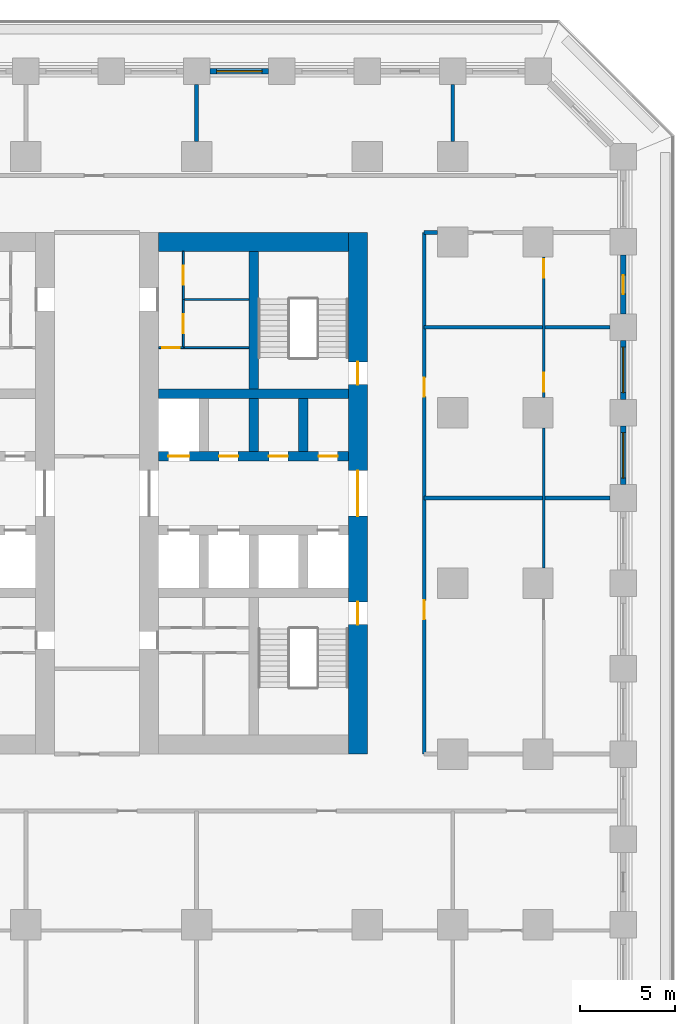
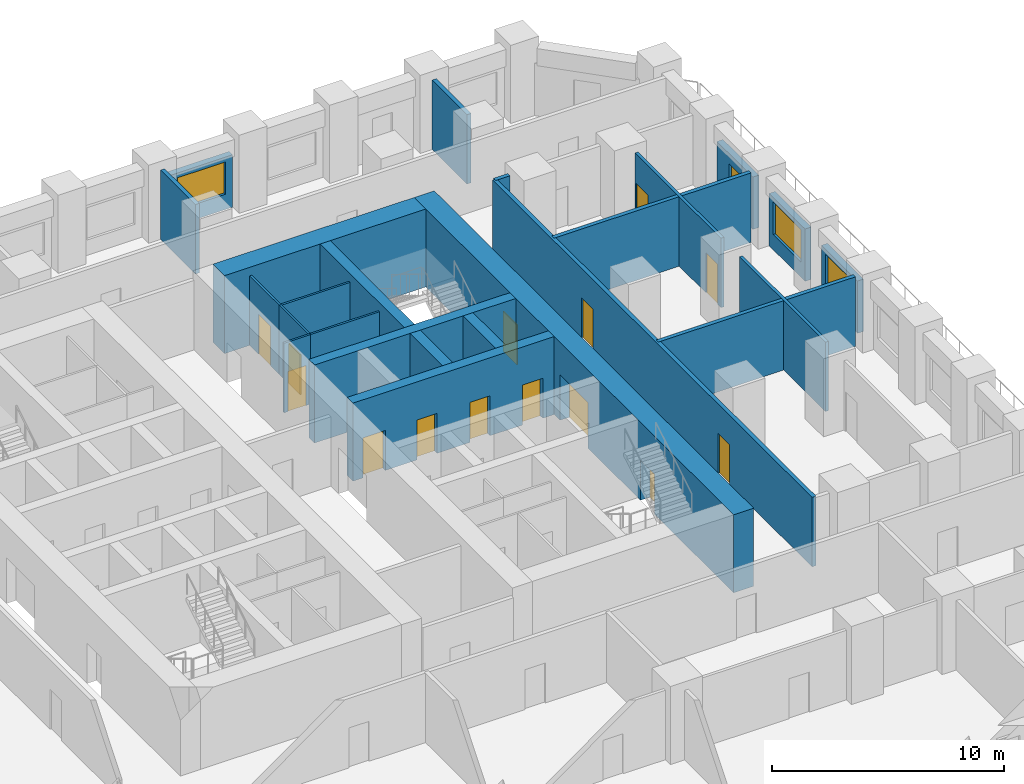
# One storey, part 7 of 11: 24 walls, 15 doors, 3 windows, 18 openings.
"""IFC4 building model written with IfcOpenShell, lengths in metres."""

from ifc_helpers import new_model, si_unit, direction, frame, frame_2d, origin, place, context, subcontext, project, spatial, rectangle, extrude, material, layer, layer_set, type_object, element, fill, save


model = new_model("IFC4")

# Units and contexts
model_context = context("Model", 3, precision=1e-05, world=origin(), true_north=direction((0.0, 1.0)))
body_context = subcontext(model_context, "Body", "Model", "MODEL_VIEW")
ifc_project = project(units=[si_unit("LENGTHUNIT", "METRE"), si_unit("AREAUNIT", "SQUARE_METRE"), si_unit("VOLUMEUNIT", "CUBIC_METRE"), si_unit("PLANEANGLEUNIT", "RADIAN"), si_unit("MASSUNIT", "GRAM", prefix="KILO")], contexts=[model_context])

# Site, building, storey
site_placement = place(None, origin())
site = spatial("IfcSite", under=ifc_project, at=site_placement, CompositionType="ELEMENT")
building_placement = place(site_placement, origin())
building = spatial("IfcBuilding", under=site, at=building_placement, Name="Corbel Stack Research Tower", CompositionType="ELEMENT")
storey_placement = place(building_placement, frame((0.0, 0.0, 62.39990234375)))
storey = spatial("IfcBuildingStorey", under=building, at=storey_placement, Name="L14", CompositionType="ELEMENT", Elevation=62.39990234375)

# Wall, openings, doors
ifc_material_1 = material(Name="Concrete C70/85", Category="concrete")
ifc_layer_1 = layer(ifc_material_1, 1.0)
ifc_layer_set_1 = layer_set([ifc_layer_1], Name="Concrete C70/85")
wall_type_1 = type_object("IfcWallType", Name="CW-1000-70", PredefinedType="SHEAR", material=ifc_layer_set_1)
wall_1_placement = place(storey_placement, frame((17.5, -9.0, 0.0), z_axis=(0.0, 0.0, 1.0), x_axis=(0.0, 1.0, 0.0)))
wall_1 = element("IfcWall", 1, at=wall_1_placement, inside=storey, type_object=wall_type_1, Name="East core wall, east face L14", PredefinedType="SHEAR", context=body_context, shape_type="SweptSolid", body=[
    extrude(rectangle(XDim=27.5, YDim=1.0, at=frame_2d((13.75, 0.0))), origin(), (0.0, 0.0, 1.0), 4.10009765625),
])
opening_1_placement = place(wall_1_placement, frame((12.550048828125, 0.0, 0.0)))
opening_1 = element("IfcOpeningElement", 2, at=opening_1_placement, cuts=wall_1, Name="Opening CD-E-E", PredefinedType="OPENING", context=body_context, shape_type="SweptSolid", body=[
    extrude(rectangle(XDim=2.39990234375, YDim=2.39990234375, at=frame_2d((1.199951171875, 1.199951171875))), frame((0.0, 0.510009765625, 0.0), z_axis=(0.0, -1.0, 0.0), x_axis=(1.0, 0.0, 0.0)), (0.0, 0.0, 1.0), 1.02001953125),
])
opening_2_placement = place(wall_1_placement, frame((6.824951171875, 0.0, 0.0)))
opening_2 = element("IfcOpeningElement", 3, at=opening_2_placement, cuts=wall_1, Name="Opening SD-ST-E1", PredefinedType="OPENING", context=body_context, shape_type="SweptSolid", body=[
    extrude(rectangle(XDim=1.199951171875, YDim=2.10009765625, at=frame_2d((0.60009765625, 1.050048828125))), frame((0.0, 0.510009765625, 0.0), z_axis=(0.0, -1.0, 0.0), x_axis=(1.0, 0.0, 0.0)), (0.0, 0.0, 1.0), 1.02001953125),
])
opening_3_placement = place(wall_1_placement, frame((19.47509765625, 0.0, 0.0)))
opening_3 = element("IfcOpeningElement", 4, at=opening_3_placement, cuts=wall_1, Name="Opening SD-ST-E2", PredefinedType="OPENING", context=body_context, shape_type="SweptSolid", body=[
    extrude(rectangle(XDim=1.199951171875, YDim=2.10009765625, at=frame_2d((0.60009765625, 1.050048828125))), frame((0.0, 0.510009765625, 0.0), z_axis=(0.0, -1.0, 0.0), x_axis=(1.0, 0.0, 0.0)), (0.0, 0.0, 1.0), 1.02001953125),
])
ifc_material_2 = material(Name="Painted steel fire door", Category="steel")
door_type_1 = type_object("IfcDoorType", Name="Lobby door pair 2400 x 2400 FD30S", OperationType="DOUBLE_DOOR_DOUBLE_SWING", PredefinedType="DOOR", material=ifc_material_2)
door_1_placement = place(opening_1_placement, origin())
door_1 = element("IfcDoor", 5, at=door_1_placement, inside=storey, type_object=door_type_1, Name="Lift lobby door E core E", OperationType="DOUBLE_DOOR_DOUBLE_SWING", OverallHeight=2.39990234375, OverallWidth=2.39990234375, PredefinedType="DOOR", context=body_context, shape_type="SweptSolid", body=[
    extrude(rectangle(XDim=2.39990234375, YDim=2.39990234375, at=frame_2d((1.199951171875, 1.199951171875))), frame((0.0, 0.02490234375, 0.0), z_axis=(0.0, -1.0, 0.0), x_axis=(1.0, 0.0, 0.0)), (0.0, 0.0, 1.0), 0.050048828125),
])
fill(opening_1, door_1)
ifc_material_3 = material(Name="Painted steel fire door", Category="steel")
door_type_2 = type_object("IfcDoorType", Name="Stair door 1200 x 2100 FD90 right hand", OperationType="SINGLE_SWING_RIGHT", PredefinedType="DOOR", material=ifc_material_3)
door_2_placement = place(opening_2_placement, frame((1.199951171875, 0.0, 0.0), z_axis=(0.0, 0.0, 1.0), x_axis=(-1.0, 0.0, 0.0)))
door_2 = element("IfcDoor", 6, at=door_2_placement, inside=storey, type_object=door_type_2, Name="Stair door ST-E1", OperationType="SINGLE_SWING_LEFT", OverallHeight=2.10009765625, OverallWidth=1.199951171875, PredefinedType="DOOR", context=body_context, shape_type="SweptSolid", body=[
    extrude(rectangle(XDim=1.199951171875, YDim=2.10009765625, at=frame_2d((0.60009765625, 1.050048828125))), frame((0.0, 0.02490234375, 0.0), z_axis=(0.0, -1.0, 0.0), x_axis=(1.0, 0.0, 0.0)), (0.0, 0.0, 1.0), 0.050048828125),
])
fill(opening_2, door_2)
door_3_placement = place(opening_3_placement, frame((1.199951171875, 0.0, 0.0), z_axis=(0.0, 0.0, 1.0), x_axis=(-1.0, 0.0, 0.0)))
door_3 = element("IfcDoor", 7, at=door_3_placement, inside=storey, type_object=door_type_2, Name="Stair door ST-E2", OperationType="SINGLE_SWING_LEFT", OverallHeight=2.10009765625, OverallWidth=1.199951171875, PredefinedType="DOOR", context=body_context, shape_type="SweptSolid", body=[
    extrude(rectangle(XDim=1.199951171875, YDim=2.10009765625, at=frame_2d((0.60009765625, 1.050048828125))), frame((0.0, 0.02490234375, 0.0), z_axis=(0.0, -1.0, 0.0), x_axis=(1.0, 0.0, 0.0)), (0.0, 0.0, 1.0), 0.050048828125),
])
fill(opening_3, door_3)

# Wall
wall_2_placement = place(storey_placement, frame((7.0, 18.0, 0.0), z_axis=(0.0, 0.0, 1.0), x_axis=(1.0, 0.0, 0.0)))
element("IfcWall", 8, at=wall_2_placement, inside=storey, type_object=wall_type_1, Name="East core wall, north end L14", PredefinedType="SHEAR", context=body_context, shape_type="SweptSolid", body=[
    extrude(rectangle(XDim=10.0, YDim=1.0, at=frame_2d((5.0, 0.0))), origin(), (0.0, 0.0, 1.0), 4.10009765625),
])

# Wall, openings, doors
ifc_material_4 = material(Name="Concrete C70/85", Category="concrete")
ifc_layer_2 = layer(ifc_material_4, 0.5)
ifc_layer_set_2 = layer_set([ifc_layer_2], Name="Concrete C70/85")
wall_type_2 = type_object("IfcWallType", Name="CW-500-70", PredefinedType="SHEAR", material=ifc_layer_set_2)
wall_3_placement = place(storey_placement, frame((7.0, 6.699951171875, 0.0), z_axis=(0.0, 0.0, 1.0), x_axis=(1.0, 0.0, 0.0)))
wall_3 = element("IfcWall", 9, at=wall_3_placement, inside=storey, type_object=wall_type_2, Name="East core wall, lobby north L14", PredefinedType="SHEAR", context=body_context, shape_type="SweptSolid", body=[
    extrude(rectangle(XDim=10.0, YDim=0.5, at=frame_2d((5.0, 0.0))), origin(), (0.0, 0.0, 1.0), 4.10009765625),
])
opening_4_placement = place(wall_3_placement, frame((0.512451171875, 0.0, 0.0)))
opening_4 = element("IfcOpeningElement", 10, at=opening_4_placement, cuts=wall_3, Name="Opening LD-LR4", PredefinedType="OPENING", context=body_context, shape_type="SweptSolid", body=[
    extrude(rectangle(XDim=1.10009765625, YDim=2.10009765625, at=frame_2d((0.550048828125, 1.050048828125))), frame((0.0, 0.260009765625, 0.0), z_axis=(0.0, -1.0, 0.0), x_axis=(1.0, 0.0, 0.0)), (0.0, 0.0, 1.0), 0.52001953125),
])
opening_5_placement = place(wall_3_placement, frame((3.1875, 0.0, 0.0)))
opening_5 = element("IfcOpeningElement", 11, at=opening_5_placement, cuts=wall_3, Name="Opening CR-E54-N2", PredefinedType="OPENING", context=body_context, shape_type="SweptSolid", body=[
    extrude(rectangle(XDim=1.0, YDim=2.10009765625, at=frame_2d((0.5, 1.050048828125))), frame((0.0, 0.260009765625, 0.0), z_axis=(0.0, -1.0, 0.0), x_axis=(1.0, 0.0, 0.0)), (0.0, 0.0, 1.0), 0.52001953125),
])
opening_6_placement = place(wall_3_placement, frame((5.8125, 0.0, 0.0)))
opening_6 = element("IfcOpeningElement", 12, at=opening_6_placement, cuts=wall_3, Name="Opening CR-E54-N3", PredefinedType="OPENING", context=body_context, shape_type="SweptSolid", body=[
    extrude(rectangle(XDim=1.0, YDim=2.10009765625, at=frame_2d((0.5, 1.050048828125))), frame((0.0, 0.260009765625, 0.0), z_axis=(0.0, -1.0, 0.0), x_axis=(1.0, 0.0, 0.0)), (0.0, 0.0, 1.0), 0.52001953125),
])
opening_7_placement = place(wall_3_placement, frame((8.4375, 0.0, 0.0)))
opening_7 = element("IfcOpeningElement", 13, at=opening_7_placement, cuts=wall_3, Name="Opening CR-E54-N4", PredefinedType="OPENING", context=body_context, shape_type="SweptSolid", body=[
    extrude(rectangle(XDim=1.0, YDim=2.10009765625, at=frame_2d((0.5, 1.050048828125))), frame((0.0, 0.260009765625, 0.0), z_axis=(0.0, -1.0, 0.0), x_axis=(1.0, 0.0, 0.0)), (0.0, 0.0, 1.0), 0.52001953125),
])
ifc_material_5 = material(Name="Stainless steel landing door", Category="steel")
door_type_3 = type_object("IfcDoorType", Name="Lift landing door 1100 x 2100", OperationType="DOUBLE_DOOR_SLIDING", PredefinedType="DOOR", material=ifc_material_5)
door_4_placement = place(opening_4_placement, origin())
door_4 = element("IfcDoor", 14, at=door_4_placement, inside=storey, type_object=door_type_3, Name="Landing door LR4", OperationType="DOUBLE_DOOR_SLIDING", OverallHeight=2.10009765625, OverallWidth=1.10009765625, PredefinedType="DOOR", context=body_context, shape_type="SweptSolid", body=[
    extrude(rectangle(XDim=1.10009765625, YDim=2.10009765625, at=frame_2d((0.550048828125, 1.050048828125))), frame((0.0, 0.02490234375, 0.0), z_axis=(0.0, -1.0, 0.0), x_axis=(1.0, 0.0, 0.0)), (0.0, 0.0, 1.0), 0.050048828125),
])
fill(opening_4, door_4)
ifc_material_6 = material(Name="Painted steel door", Category="steel")
door_type_4 = type_object("IfcDoorType", Name="Service door 1000 x 2100 FD60 left hand", OperationType="SINGLE_SWING_LEFT", PredefinedType="DOOR", material=ifc_material_6)
door_5_placement = place(opening_6_placement, origin())
door_5 = element("IfcDoor", 15, at=door_5_placement, inside=storey, type_object=door_type_4, Name="Staff WC door E core", OperationType="SINGLE_SWING_LEFT", OverallHeight=2.10009765625, OverallWidth=1.0, PredefinedType="DOOR", context=body_context, shape_type="SweptSolid", body=[
    extrude(rectangle(XDim=1.0, YDim=2.10009765625, at=frame_2d((0.5, 1.050048828125))), frame((0.0, 0.02490234375, 0.0), z_axis=(0.0, -1.0, 0.0), x_axis=(1.0, 0.0, 0.0)), (0.0, 0.0, 1.0), 0.050048828125),
])
fill(opening_6, door_5)
ifc_material_7 = material(Name="Painted steel door", Category="steel")
door_type_5 = type_object("IfcDoorType", Name="Service door 1000 x 2100 FD60 right hand", OperationType="SINGLE_SWING_RIGHT", PredefinedType="DOOR", material=ifc_material_7)
door_6_placement = place(opening_5_placement, origin())
door_6 = element("IfcDoor", 16, at=door_6_placement, inside=storey, type_object=door_type_5, Name="Pantry door E core", OperationType="SINGLE_SWING_RIGHT", OverallHeight=2.10009765625, OverallWidth=1.0, PredefinedType="DOOR", context=body_context, shape_type="SweptSolid", body=[
    extrude(rectangle(XDim=1.0, YDim=2.10009765625, at=frame_2d((0.5, 1.050048828125))), frame((0.0, 0.02490234375, 0.0), z_axis=(0.0, -1.0, 0.0), x_axis=(1.0, 0.0, 0.0)), (0.0, 0.0, 1.0), 0.050048828125),
])
fill(opening_5, door_6)
door_7_placement = place(opening_7_placement, origin())
door_7 = element("IfcDoor", 17, at=door_7_placement, inside=storey, type_object=door_type_5, Name="Laboratory consumables store door E core", OperationType="SINGLE_SWING_RIGHT", OverallHeight=2.10009765625, OverallWidth=1.0, PredefinedType="DOOR", context=body_context, shape_type="SweptSolid", body=[
    extrude(rectangle(XDim=1.0, YDim=2.10009765625, at=frame_2d((0.5, 1.050048828125))), frame((0.0, 0.02490234375, 0.0), z_axis=(0.0, -1.0, 0.0), x_axis=(1.0, 0.0, 0.0)), (0.0, 0.0, 1.0), 0.050048828125),
])
fill(opening_7, door_7)

# Walls
wall_4_placement = place(storey_placement, frame((7.0, 10.0, 0.0), z_axis=(0.0, 0.0, 1.0), x_axis=(1.0, 0.0, 0.0)))
element("IfcWall", 18, at=wall_4_placement, inside=storey, type_object=wall_type_2, Name="East core wall, north row back L14", PredefinedType="SHEAR", context=body_context, shape_type="SweptSolid", body=[
    extrude(rectangle(XDim=10.0, YDim=0.5, at=frame_2d((5.0, 0.0))), origin(), (0.0, 0.0, 1.0), 4.10009765625),
])
for number, where, z_axis, x_axis, name in (
    (19, (12.0, 6.949951171875, 0.0), (0.0, 0.0, 1.0), (0.0, 1.0, 0.0), "East core wall, north shaft 2 L14"),
    (20, (14.625, 6.949951171875, 0.0), (0.0, 0.0, 1.0), (0.0, 1.0, 0.0), "East core wall, north shaft 3 L14"),
):
    element("IfcWall", number, at=place(storey_placement, frame(where, z_axis=z_axis, x_axis=x_axis)), inside=storey, type_object=wall_type_2, Name=name, PredefinedType="SHEAR", context=body_context, shape_type="SweptSolid", body=[
        extrude(rectangle(XDim=2.800048828125, YDim=0.5, at=frame_2d((1.39990234375, 0.0))), origin(), (0.0, 0.0, 1.0), 4.10009765625),
    ])
wall_5_placement = place(storey_placement, frame((12.0, 10.25, 0.0), z_axis=(0.0, 0.0, 1.0), x_axis=(0.0, 1.0, 0.0)))
element("IfcWall", 21, at=wall_5_placement, inside=storey, type_object=wall_type_2, Name="East core wall, north stair and riser L14", PredefinedType="SHEAR", context=body_context, shape_type="SweptSolid", body=[
    extrude(rectangle(XDim=7.25, YDim=0.5, at=frame_2d((3.625, 0.0))), origin(), (0.0, 0.0, 1.0), 4.10009765625),
])

# Wall, opening, door
ifc_material_8 = material(Name="Gypsum board")
ifc_layer_3 = layer(ifc_material_8, 0.10009765625)
ifc_layer_set_3 = layer_set([ifc_layer_3], Name="Gypsum board")
wall_type_3 = type_object("IfcWallType", Name="Core partition 100", PredefinedType="PARTITIONING", material=ifc_layer_set_3)
wall_6_placement = place(storey_placement, frame((7.0, 12.425048828125, 0.0), z_axis=(0.0, 0.0, 1.0), x_axis=(1.0, 0.0, 0.0)))
wall_6 = element("IfcWall", 22, at=wall_6_placement, inside=storey, type_object=wall_type_3, Name="Core partition E", PredefinedType="PARTITIONING", context=body_context, shape_type="SweptSolid", body=[
    extrude(rectangle(XDim=1.300048828125, YDim=0.10009765625, at=frame_2d((0.64990234375, 0.0))), origin(), (0.0, 0.0, 1.0), 3.650146484375),
])
opening_8_placement = place(wall_6_placement, frame((0.199951171875, 0.0, 0.0)))
opening_8 = element("IfcOpeningElement", 23, at=opening_8_placement, cuts=wall_6, Name="Opening CR-E54-R1-900", PredefinedType="OPENING", context=body_context, shape_type="SweptSolid", body=[
    extrude(rectangle(XDim=0.89990234375, YDim=2.10009765625, at=frame_2d((0.449951171875, 1.050048828125))), frame((0.0, 0.06005859375, 0.0), z_axis=(0.0, -1.0, 0.0), x_axis=(1.0, 0.0, 0.0)), (0.0, 0.0, 1.0), 0.1201171875),
])
ifc_material_9 = material(Name="Painted steel door", Category="steel")
door_type_6 = type_object("IfcDoorType", Name="Riser door 900 x 2100 FD60 right hand", OperationType="SINGLE_SWING_RIGHT", PredefinedType="DOOR", material=ifc_material_9)
door_8_placement = place(opening_8_placement, origin())
door_8 = element("IfcDoor", 24, at=door_8_placement, inside=storey, type_object=door_type_6, Name="Electrical riser door E core", OperationType="SINGLE_SWING_RIGHT", OverallHeight=2.10009765625, OverallWidth=0.89990234375, PredefinedType="DOOR", context=body_context, shape_type="SweptSolid", body=[
    extrude(rectangle(XDim=0.89990234375, YDim=2.10009765625, at=frame_2d((0.449951171875, 1.050048828125))), frame((0.0, 0.02490234375, 0.0), z_axis=(0.0, -1.0, 0.0), x_axis=(1.0, 0.0, 0.0)), (0.0, 0.0, 1.0), 0.050048828125),
])
fill(opening_8, door_8)

# Wall
wall_7_placement = place(storey_placement, frame((8.300048828125, 12.425048828125, 0.0), z_axis=(0.0, 0.0, 1.0), x_axis=(1.0, 0.0, 0.0)))
element("IfcWall", 25, at=wall_7_placement, inside=storey, type_object=wall_type_3, Name="Core partition E", PredefinedType="PARTITIONING", context=body_context, shape_type="SweptSolid", body=[
    extrude(rectangle(XDim=3.449951171875, YDim=0.10009765625, at=frame_2d((1.72509765625, 0.0))), origin(), (0.0, 0.0, 1.0), 3.650146484375),
])

# Wall, opening, door
wall_8_placement = place(storey_placement, frame((8.300048828125, 12.425048828125, 0.0), z_axis=(0.0, 0.0, 1.0), x_axis=(0.0, 1.0, 0.0)))
wall_8 = element("IfcWall", 26, at=wall_8_placement, inside=storey, type_object=wall_type_3, Name="Core partition E", PredefinedType="PARTITIONING", context=body_context, shape_type="SweptSolid", body=[
    extrude(rectangle(XDim=2.537353515625, YDim=0.10009765625, at=frame_2d((1.2685546875, 0.0))), origin(), (0.0, 0.0, 1.0), 3.650146484375),
])
opening_9_placement = place(wall_8_placement, frame((0.768798828125, 0.0, 0.0)))
opening_9 = element("IfcOpeningElement", 27, at=opening_9_placement, cuts=wall_8, Name="Opening CR-E54-R3-1000", PredefinedType="OPENING", context=body_context, shape_type="SweptSolid", body=[
    extrude(rectangle(XDim=1.0, YDim=2.10009765625, at=frame_2d((0.5, 1.050048828125))), frame((0.0, 0.06005859375, 0.0), z_axis=(0.0, -1.0, 0.0), x_axis=(1.0, 0.0, 0.0)), (0.0, 0.0, 1.0), 0.1201171875),
])
ifc_material_10 = material(Name="Painted steel door", Category="steel")
door_type_7 = type_object("IfcDoorType", Name="Service door 1000 x 2100 FD30 right hand", OperationType="SINGLE_SWING_RIGHT", PredefinedType="DOOR", material=ifc_material_10)
door_9_placement = place(opening_9_placement, origin())
door_9 = element("IfcDoor", 28, at=door_9_placement, inside=storey, type_object=door_type_7, Name="Pantry door E core", OperationType="SINGLE_SWING_RIGHT", OverallHeight=2.10009765625, OverallWidth=1.0, PredefinedType="DOOR", context=body_context, shape_type="SweptSolid", body=[
    extrude(rectangle(XDim=1.0, YDim=2.10009765625, at=frame_2d((0.5, 1.050048828125))), frame((0.0, 0.02490234375, 0.0), z_axis=(0.0, -1.0, 0.0), x_axis=(1.0, 0.0, 0.0)), (0.0, 0.0, 1.0), 0.050048828125),
])
fill(opening_9, door_9)

wall_9_placement = place(storey_placement, frame((8.300048828125, 14.96240234375, 0.0), z_axis=(0.0, 0.0, 1.0), x_axis=(0.0, 1.0, 0.0)))
wall_9 = element("IfcWall", 29, at=wall_9_placement, inside=storey, type_object=wall_type_3, Name="Core partition E", PredefinedType="PARTITIONING", context=body_context, shape_type="SweptSolid", body=[
    extrude(rectangle(XDim=2.53759765625, YDim=0.10009765625, at=frame_2d((1.268798828125, 0.0))), origin(), (0.0, 0.0, 1.0), 3.650146484375),
])
opening_10_placement = place(wall_9_placement, frame((0.768798828125, 0.0, 0.0)))
opening_10 = element("IfcOpeningElement", 30, at=opening_10_placement, cuts=wall_9, Name="Opening CR-E54-R4-1000", PredefinedType="OPENING", context=body_context, shape_type="SweptSolid", body=[
    extrude(rectangle(XDim=1.0, YDim=2.10009765625, at=frame_2d((0.5, 1.050048828125))), frame((0.0, 0.06005859375, 0.0), z_axis=(0.0, -1.0, 0.0), x_axis=(1.0, 0.0, 0.0)), (0.0, 0.0, 1.0), 0.1201171875),
])
ifc_material_11 = material(Name="Painted steel door", Category="steel")
door_type_8 = type_object("IfcDoorType", Name="Service door 1000 x 2100 FD30 left hand", OperationType="SINGLE_SWING_LEFT", PredefinedType="DOOR", material=ifc_material_11)
door_10_placement = place(opening_10_placement, origin())
door_10 = element("IfcDoor", 31, at=door_10_placement, inside=storey, type_object=door_type_8, Name="Copy and supply store door E core", OperationType="SINGLE_SWING_LEFT", OverallHeight=2.10009765625, OverallWidth=1.0, PredefinedType="DOOR", context=body_context, shape_type="SweptSolid", body=[
    extrude(rectangle(XDim=1.0, YDim=2.10009765625, at=frame_2d((0.5, 1.050048828125))), frame((0.0, 0.02490234375, 0.0), z_axis=(0.0, -1.0, 0.0), x_axis=(1.0, 0.0, 0.0)), (0.0, 0.0, 1.0), 0.050048828125),
])
fill(opening_10, door_10)

# Walls
wall_10_placement = place(storey_placement, frame((8.300048828125, 14.96240234375, 0.0), z_axis=(0.0, 0.0, 1.0), x_axis=(1.0, 0.0, 0.0)))
element("IfcWall", 32, at=wall_10_placement, inside=storey, type_object=wall_type_3, Name="Core partition E", PredefinedType="PARTITIONING", context=body_context, shape_type="SweptSolid", body=[
    extrude(rectangle(XDim=3.449951171875, YDim=0.10009765625, at=frame_2d((1.72509765625, 0.0))), origin(), (0.0, 0.0, 1.0), 3.650146484375),
])
ifc_material_12 = material(Name="Fire-rated gypsum board partition on steel studs", Category="steel")
ifc_layer_4 = layer(ifc_material_12, 0.199951171875)
ifc_layer_set_4 = layer_set([ifc_layer_4], Name="Fire-rated gypsum board partition on steel studs")
wall_type_4 = type_object("IfcWallType", Name="Fire-rated partition 200 EI 60", PredefinedType="PARTITIONING", material=ifc_layer_set_4)
wall_11_placement = place(storey_placement, frame((9.0, 23.300048828125, 0.0), z_axis=(0.0, 0.0, 1.0), x_axis=(0.0, 1.0, 0.0)))
element("IfcWall", 33, at=wall_11_placement, inside=storey, type_object=wall_type_4, Name="Partition L14-010", PredefinedType="PARTITIONING", context=body_context, shape_type="SweptSolid", body=[
    extrude(rectangle(XDim=3.0, YDim=0.199951171875, at=frame_2d((1.5, 0.0))), origin(), (0.0, 0.0, 1.0), 3.650146484375),
])

# Wall, openings, doors
wall_12_placement = place(storey_placement, frame((21.0, 18.5, 0.0), z_axis=(0.0, 0.0, 1.0), x_axis=(0.0, -1.0, 0.0)))
wall_12 = element("IfcWall", 34, at=wall_12_placement, inside=storey, type_object=wall_type_4, Name="Partition L14-011", PredefinedType="PARTITIONING", context=body_context, shape_type="SweptSolid", body=[
    extrude(rectangle(XDim=27.5, YDim=0.199951171875, at=frame_2d((13.75, 0.0))), origin(), (0.0, 0.0, 1.0), 3.650146484375),
])
opening_11_placement = place(wall_12_placement, frame((19.39990234375, 0.0, 0.0)))
opening_11 = element("IfcOpeningElement", 35, at=opening_11_placement, cuts=wall_12, Name="Opening B2V2-017", PredefinedType="OPENING", context=body_context, shape_type="SweptSolid", body=[
    extrude(rectangle(XDim=1.0, YDim=2.10009765625, at=frame_2d((0.5, 1.050048828125))), frame((0.0, 0.10986328125, 0.0), z_axis=(0.0, -1.0, 0.0), x_axis=(1.0, 0.0, 0.0)), (0.0, 0.0, 1.0), 0.219970703125),
])
opening_12_placement = place(wall_12_placement, frame((7.64990234375, 0.0, 0.0)))
opening_12 = element("IfcOpeningElement", 36, at=opening_12_placement, cuts=wall_12, Name="Opening B2V2-018", PredefinedType="OPENING", context=body_context, shape_type="SweptSolid", body=[
    extrude(rectangle(XDim=1.0, YDim=2.10009765625, at=frame_2d((0.5, 1.050048828125))), frame((0.0, 0.10986328125, 0.0), z_axis=(0.0, -1.0, 0.0), x_axis=(1.0, 0.0, 0.0)), (0.0, 0.0, 1.0), 0.219970703125),
])
ifc_material_13 = material(Name="Painted steel fire door", Category="steel")
door_type_9 = type_object("IfcDoorType", Name="Fire door FD30S 1000 x 2100", OperationType="NOTDEFINED", PredefinedType="DOOR", material=ifc_material_13)
door_11_placement = place(opening_11_placement, origin())
door_11 = element("IfcDoor", 37, at=door_11_placement, inside=storey, type_object=door_type_9, Name="Door B2V2-017", OperationType="SINGLE_SWING_RIGHT", OverallHeight=2.10009765625, OverallWidth=1.0, PredefinedType="DOOR", context=body_context, shape_type="SweptSolid", body=[
    extrude(rectangle(XDim=1.0, YDim=2.10009765625, at=frame_2d((0.5, 1.050048828125))), frame((0.0, 0.02490234375, 0.0), z_axis=(0.0, -1.0, 0.0), x_axis=(1.0, 0.0, 0.0)), (0.0, 0.0, 1.0), 0.050048828125),
])
fill(opening_11, door_11)
door_12_placement = place(opening_12_placement, origin())
door_12 = element("IfcDoor", 38, at=door_12_placement, inside=storey, type_object=door_type_9, Name="Door B2V2-018", OperationType="SINGLE_SWING_LEFT", OverallHeight=2.10009765625, OverallWidth=1.0, PredefinedType="DOOR", context=body_context, shape_type="SweptSolid", body=[
    extrude(rectangle(XDim=1.0, YDim=2.10009765625, at=frame_2d((0.5, 1.050048828125))), frame((0.0, 0.02490234375, 0.0), z_axis=(0.0, -1.0, 0.0), x_axis=(1.0, 0.0, 0.0)), (0.0, 0.0, 1.0), 0.050048828125),
])
fill(opening_12, door_12)

# Walls
wall_13_placement = place(storey_placement, frame((22.5, 23.300048828125, 0.0), z_axis=(0.0, 0.0, 1.0), x_axis=(0.0, 1.0, 0.0)))
element("IfcWall", 39, at=wall_13_placement, inside=storey, type_object=wall_type_4, Name="Partition L14-014", PredefinedType="PARTITIONING", context=body_context, shape_type="SweptSolid", body=[
    extrude(rectangle(XDim=3.0, YDim=0.199951171875, at=frame_2d((1.5, 0.0))), origin(), (0.0, 0.0, 1.0), 3.650146484375),
])
for number, where, z_axis, x_axis, name in (
    (40, (21.0, 4.5, 0.0), (0.0, 0.0, 1.0), (1.0, 0.0, 0.0), "Partition L14-035"),
    (41, (21.0, 13.5, 0.0), (0.0, 0.0, 1.0), (1.0, 0.0, 0.0), "Partition L14-038"),
):
    element("IfcWall", number, at=place(storey_placement, frame(where, z_axis=z_axis, x_axis=x_axis)), inside=storey, type_object=wall_type_4, Name=name, PredefinedType="PARTITIONING", context=body_context, shape_type="SweptSolid", body=[
        extrude(rectangle(XDim=9.800048828125, YDim=0.199951171875, at=frame_2d((4.89990234375, 0.0))), origin(), (0.0, 0.0, 1.0), 3.650146484375),
    ])
wall_14_placement = place(storey_placement, frame((21.0, 18.5, 0.0), z_axis=(0.0, 0.0, 1.0), x_axis=(1.0, 0.0, 0.0)))
element("IfcWall", 42, at=wall_14_placement, inside=storey, type_object=wall_type_4, Name="Partition L14-042", PredefinedType="PARTITIONING", context=body_context, shape_type="SweptSolid", body=[
    extrude(rectangle(XDim=0.699951171875, YDim=0.199951171875, at=frame_2d((0.35009765625, 0.0))), origin(), (0.0, 0.0, 1.0), 3.650146484375),
])
ifc_material_14 = material(Name="Gypsum board partition on steel studs", Category="steel")
ifc_layer_5 = layer(ifc_material_14, 0.14990234375)
ifc_layer_set_5 = layer_set([ifc_layer_5], Name="Gypsum board partition on steel studs")
wall_type_5 = type_object("IfcWallType", Name="Partition 150", PredefinedType="PARTITIONING", material=ifc_layer_set_5)
wall_15_placement = place(storey_placement, frame((27.300048828125, 0.800048828125, 0.0), z_axis=(0.0, 0.0, 1.0), x_axis=(0.0, 1.0, 0.0)))
element("IfcWall", 43, at=wall_15_placement, inside=storey, type_object=wall_type_5, Name="Partition L14-016", PredefinedType="PARTITIONING", context=body_context, shape_type="SweptSolid", body=[
    extrude(rectangle(XDim=7.39990234375, YDim=0.14990234375, at=frame_2d((3.699951171875, 0.0))), origin(), (0.0, 0.0, 1.0), 3.650146484375),
])

# Wall, openings, doors
wall_16_placement = place(storey_placement, frame((27.300048828125, 17.199951171875, 0.0), z_axis=(0.0, 0.0, 1.0), x_axis=(0.0, -1.0, 0.0)))
wall_16 = element("IfcWall", 44, at=wall_16_placement, inside=storey, type_object=wall_type_5, Name="Partition L14-017", PredefinedType="PARTITIONING", context=body_context, shape_type="SweptSolid", body=[
    extrude(rectangle(XDim=7.39990234375, YDim=0.14990234375, at=frame_2d((3.699951171875, 0.0))), origin(), (0.0, 0.0, 1.0), 3.650146484375),
])
opening_13_placement = place(wall_16_placement, frame((6.10009765625, 0.0, 0.0)))
opening_13 = element("IfcOpeningElement", 45, at=opening_13_placement, cuts=wall_16, Name="Opening B2V2-025", PredefinedType="OPENING", context=body_context, shape_type="SweptSolid", body=[
    extrude(rectangle(XDim=1.0, YDim=2.10009765625, at=frame_2d((0.5, 1.050048828125))), frame((0.0, 0.0849609375, 0.0), z_axis=(0.0, -1.0, 0.0), x_axis=(1.0, 0.0, 0.0)), (0.0, 0.0, 1.0), 0.169921875),
])
opening_14_placement = place(wall_16_placement, frame((0.10009765625, 0.0, 0.0)))
opening_14 = element("IfcOpeningElement", 46, at=opening_14_placement, cuts=wall_16, Name="Opening B2V2-026", PredefinedType="OPENING", context=body_context, shape_type="SweptSolid", body=[
    extrude(rectangle(XDim=1.0, YDim=2.10009765625, at=frame_2d((0.5, 1.050048828125))), frame((0.0, 0.0849609375, 0.0), z_axis=(0.0, -1.0, 0.0), x_axis=(1.0, 0.0, 0.0)), (0.0, 0.0, 1.0), 0.169921875),
])
ifc_material_15 = material(Name="Painted timber door", Category="wood")
door_type_10 = type_object("IfcDoorType", Name="Single door 1000 x 2100", OperationType="NOTDEFINED", PredefinedType="DOOR", material=ifc_material_15)
door_13_placement = place(opening_13_placement, origin())
door_13 = element("IfcDoor", 47, at=door_13_placement, inside=storey, type_object=door_type_10, Name="Door B2V2-025", OperationType="SINGLE_SWING_RIGHT", OverallHeight=2.10009765625, OverallWidth=1.0, PredefinedType="DOOR", context=body_context, shape_type="SweptSolid", body=[
    extrude(rectangle(XDim=1.0, YDim=2.10009765625, at=frame_2d((0.5, 1.050048828125))), frame((0.0, 0.02490234375, 0.0), z_axis=(0.0, -1.0, 0.0), x_axis=(1.0, 0.0, 0.0)), (0.0, 0.0, 1.0), 0.050048828125),
])
fill(opening_13, door_13)
door_14_placement = place(opening_14_placement, origin())
door_14 = element("IfcDoor", 48, at=door_14_placement, inside=storey, type_object=door_type_10, Name="Door B2V2-026", OperationType="SINGLE_SWING_LEFT", OverallHeight=2.10009765625, OverallWidth=1.0, PredefinedType="DOOR", context=body_context, shape_type="SweptSolid", body=[
    extrude(rectangle(XDim=1.0, YDim=2.10009765625, at=frame_2d((0.5, 1.050048828125))), frame((0.0, 0.02490234375, 0.0), z_axis=(0.0, -1.0, 0.0), x_axis=(1.0, 0.0, 0.0)), (0.0, 0.0, 1.0), 0.050048828125),
])
fill(opening_14, door_14)

# Wall, opening, window
ifc_material_16 = material(Name="Concrete C45/55", Category="concrete")
ifc_layer_6 = layer(ifc_material_16, 0.300048828125)
ifc_layer_set_6 = layer_set([ifc_layer_6], Name="Concrete C45/55")
wall_type_6 = type_object("IfcWallType", Name="Terracotta-faced concrete wall 300", PredefinedType="SOLIDWALL", material=ifc_layer_set_6)
wall_17_placement = place(storey_placement, frame((31.5, 8.300048828125, 0.0), z_axis=(0.0, 0.0, 1.0), x_axis=(0.0, -1.0, 0.0)))
wall_17 = element("IfcWall", 49, at=wall_17_placement, inside=storey, type_object=wall_type_6, Name="Facade wall L14 E07", PredefinedType="SOLIDWALL", context=body_context, shape_type="SweptSolid", body=[
    extrude(rectangle(XDim=3.10009765625, YDim=0.300048828125, at=frame_2d((1.550048828125, 0.0))), origin(), (0.0, 0.0, 1.0), 2.75),
])
opening_15_placement = place(wall_17_placement, frame((0.35009765625, 0.0, 0.800048828125)))
opening_15 = element("IfcOpeningElement", 50, at=opening_15_placement, cuts=wall_17, Name="Opening W1", PredefinedType="OPENING", context=body_context, shape_type="SweptSolid", body=[
    extrude(rectangle(XDim=2.39990234375, YDim=1.699951171875, at=frame_2d((1.199951171875, 0.85009765625))), frame((0.0, 0.159912109375, 0.0), z_axis=(0.0, -1.0, 0.0), x_axis=(1.0, 0.0, 0.0)), (0.0, 0.0, 1.0), 0.320068359375),
])
ifc_material_17 = material(Name="Aluminium frame, clear double glazing", Category="aluminium")
window_type = type_object("IfcWindowType", Name="Window W1 2400 x 1700", PartitioningType="SINGLE_PANEL", PredefinedType="WINDOW", material=ifc_material_17)
window_1_placement = place(opening_15_placement, origin())
window_1 = element("IfcWindow", 51, at=window_1_placement, inside=storey, type_object=window_type, Name="Window W1 L14 E07", OverallHeight=1.699951171875, OverallWidth=2.39990234375, PartitioningType="SINGLE_PANEL", PredefinedType="WINDOW", context=body_context, shape_type="SweptSolid", body=[
    extrude(rectangle(XDim=2.39990234375, YDim=1.699951171875, at=frame_2d((1.199951171875, 0.85009765625))), frame((0.0, 0.030029296875, 0.0), z_axis=(0.0, -1.0, 0.0), x_axis=(1.0, 0.0, 0.0)), (0.0, 0.0, 1.0), 0.06005859375),
])
fill(opening_15, window_1)

wall_18_placement = place(storey_placement, frame((31.5, 12.800048828125, 0.0), z_axis=(0.0, 0.0, 1.0), x_axis=(0.0, -1.0, 0.0)))
wall_18 = element("IfcWall", 52, at=wall_18_placement, inside=storey, type_object=wall_type_6, Name="Facade wall L14 E08", PredefinedType="SOLIDWALL", context=body_context, shape_type="SweptSolid", body=[
    extrude(rectangle(XDim=3.10009765625, YDim=0.300048828125, at=frame_2d((1.550048828125, 0.0))), origin(), (0.0, 0.0, 1.0), 2.75),
])
opening_16_placement = place(wall_18_placement, frame((0.35009765625, 0.0, 0.800048828125)))
opening_16 = element("IfcOpeningElement", 53, at=opening_16_placement, cuts=wall_18, Name="Opening W1", PredefinedType="OPENING", context=body_context, shape_type="SweptSolid", body=[
    extrude(rectangle(XDim=2.39990234375, YDim=1.699951171875, at=frame_2d((1.199951171875, 0.85009765625))), frame((0.0, 0.159912109375, 0.0), z_axis=(0.0, -1.0, 0.0), x_axis=(1.0, 0.0, 0.0)), (0.0, 0.0, 1.0), 0.320068359375),
])
window_2_placement = place(opening_16_placement, origin())
window_2 = element("IfcWindow", 54, at=window_2_placement, inside=storey, type_object=window_type, Name="Window W1 L14 E08", OverallHeight=1.699951171875, OverallWidth=2.39990234375, PartitioningType="SINGLE_PANEL", PredefinedType="WINDOW", context=body_context, shape_type="SweptSolid", body=[
    extrude(rectangle(XDim=2.39990234375, YDim=1.699951171875, at=frame_2d((1.199951171875, 0.85009765625))), frame((0.0, 0.030029296875, 0.0), z_axis=(0.0, -1.0, 0.0), x_axis=(1.0, 0.0, 0.0)), (0.0, 0.0, 1.0), 0.06005859375),
])
fill(opening_16, window_2)

# Wall, opening, door
wall_19_placement = place(storey_placement, frame((31.5, 17.300048828125, 0.0), z_axis=(0.0, 0.0, 1.0), x_axis=(0.0, -1.0, 0.0)))
wall_19 = element("IfcWall", 55, at=wall_19_placement, inside=storey, type_object=wall_type_6, Name="Facade wall L14 E09", PredefinedType="SOLIDWALL", context=body_context, shape_type="SweptSolid", body=[
    extrude(rectangle(XDim=3.10009765625, YDim=0.300048828125, at=frame_2d((1.550048828125, 0.0))), origin(), (0.0, 0.0, 1.0), 2.75),
])
opening_17_placement = place(wall_19_placement, frame((1.050048828125, 0.0, 0.0)))
opening_17 = element("IfcOpeningElement", 56, at=opening_17_placement, cuts=wall_19, Name="Opening L14-B05", PredefinedType="OPENING", context=body_context, shape_type="SweptSolid", body=[
    extrude(rectangle(XDim=1.0, YDim=2.199951171875, at=frame_2d((0.5, 1.10009765625))), frame((0.0, 0.159912109375, 0.0), z_axis=(0.0, -1.0, 0.0), x_axis=(1.0, 0.0, 0.0)), (0.0, 0.0, 1.0), 0.320068359375),
])
ifc_material_18 = material(Name="Aluminium frame, clear double glazing", Category="aluminium")
door_type_11 = type_object("IfcDoorType", Name="Balcony door BD1 1000 x 2200", OperationType="NOTDEFINED", PredefinedType="DOOR", material=ifc_material_18)
door_15_placement = place(opening_17_placement, origin())
door_15 = element("IfcDoor", 57, at=door_15_placement, inside=storey, type_object=door_type_11, Name="Balcony door L14-B05", OperationType="SINGLE_SWING_LEFT", OverallHeight=2.199951171875, OverallWidth=1.0, PredefinedType="DOOR", context=body_context, shape_type="SweptSolid", body=[
    extrude(rectangle(XDim=1.0, YDim=2.199951171875, at=frame_2d((0.5, 1.10009765625))), frame((0.0, 0.02490234375, 0.0), z_axis=(0.0, -1.0, 0.0), x_axis=(1.0, 0.0, 0.0)), (0.0, 0.0, 1.0), 0.050048828125),
])
fill(opening_17, door_15)

# Wall, opening, window
wall_20_placement = place(storey_placement, frame((9.699951171875, 27.0, 0.0), z_axis=(0.0, 0.0, 1.0), x_axis=(1.0, 0.0, 0.0)))
wall_20 = element("IfcWall", 58, at=wall_20_placement, inside=storey, type_object=wall_type_6, Name="Facade wall L14 N04", PredefinedType="SOLIDWALL", context=body_context, shape_type="SweptSolid", body=[
    extrude(rectangle(XDim=3.10009765625, YDim=0.300048828125, at=frame_2d((1.550048828125, 0.0))), origin(), (0.0, 0.0, 1.0), 2.75),
])
opening_18_placement = place(wall_20_placement, frame((0.35009765625, 0.0, 0.800048828125)))
opening_18 = element("IfcOpeningElement", 59, at=opening_18_placement, cuts=wall_20, Name="Opening W1", PredefinedType="OPENING", context=body_context, shape_type="SweptSolid", body=[
    extrude(rectangle(XDim=2.39990234375, YDim=1.699951171875, at=frame_2d((1.199951171875, 0.85009765625))), frame((0.0, 0.159912109375, 0.0), z_axis=(0.0, -1.0, 0.0), x_axis=(1.0, 0.0, 0.0)), (0.0, 0.0, 1.0), 0.320068359375),
])
window_3_placement = place(opening_18_placement, origin())
window_3 = element("IfcWindow", 60, at=window_3_placement, inside=storey, type_object=window_type, Name="Window W1 L14 N04", OverallHeight=1.699951171875, OverallWidth=2.39990234375, PartitioningType="SINGLE_PANEL", PredefinedType="WINDOW", context=body_context, shape_type="SweptSolid", body=[
    extrude(rectangle(XDim=2.39990234375, YDim=1.699951171875, at=frame_2d((1.199951171875, 0.85009765625))), frame((0.0, 0.030029296875, 0.0), z_axis=(0.0, -1.0, 0.0), x_axis=(1.0, 0.0, 0.0)), (0.0, 0.0, 1.0), 0.06005859375),
])
fill(opening_18, window_3)

save(model, "model.ifc")
